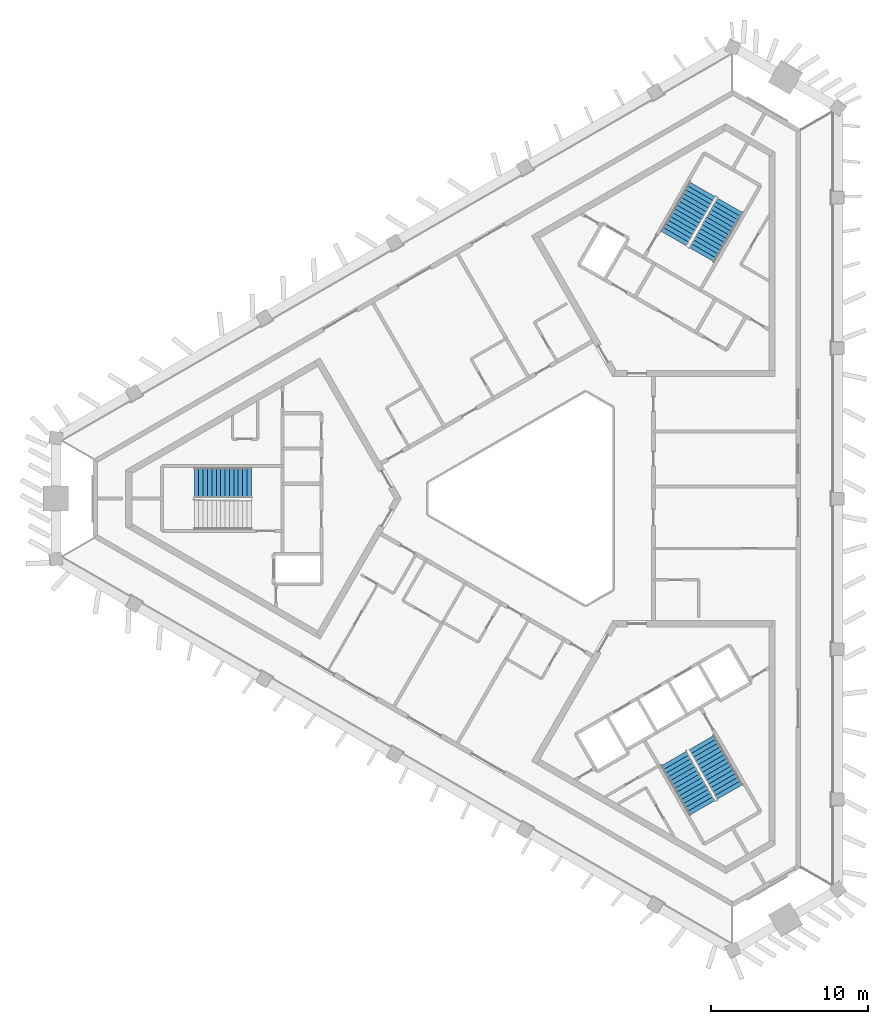
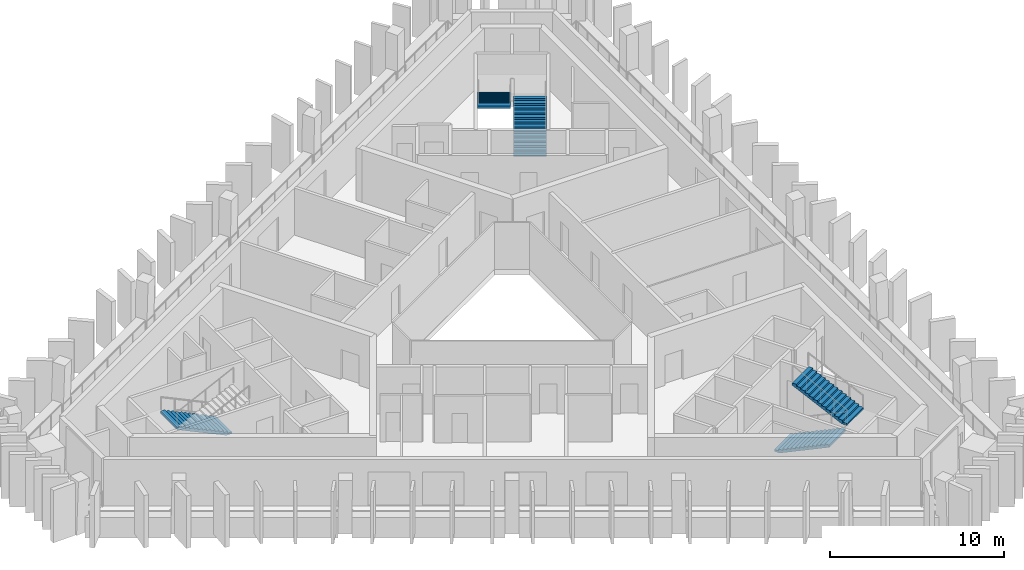
# One storey, part 6 of 10: 5 stair flights, 3 elements without a shape of their own.
"""IFC4 building model written with IfcOpenShell, lengths in metres."""

from ifc_helpers import new_model, si_unit, direction, frame, origin, place, context, subcontext, project, spatial, polyline, outline, extrude, material, type_object, element, aggregate, save


model = new_model("IFC4")

# Units and contexts
model_context = context("Model", 3, precision=1e-05, world=origin(), true_north=direction((0.0, 1.0)))
body_context = subcontext(model_context, "Body", "Model", "MODEL_VIEW")
ifc_project = project(units=[si_unit("LENGTHUNIT", "METRE"), si_unit("AREAUNIT", "SQUARE_METRE"), si_unit("VOLUMEUNIT", "CUBIC_METRE"), si_unit("PLANEANGLEUNIT", "RADIAN"), si_unit("MASSUNIT", "GRAM", prefix="KILO")], contexts=[model_context])

# Site, building, storey
site_placement = place(None, origin())
site = spatial("IfcSite", under=ifc_project, at=site_placement, CompositionType="ELEMENT")
building_placement = place(site_placement, origin())
building = spatial("IfcBuilding", under=site, at=building_placement, Name="Jabali Bay Hotel Tower and Convention Centre", CompositionType="ELEMENT")
storey_placement = place(building_placement, frame((0.0, 0.0, 284.89990234375)))
storey = spatial("IfcBuildingStorey", under=building, at=storey_placement, Name="L70", CompositionType="ELEMENT", Elevation=284.89990234375)

# Stair, stair flight
ifc_material = material(Name="Concrete C40", Category="concrete")
stair_type = type_object("IfcStairType", Name="Exit stair 1900", PredefinedType="HALF_TURN_STAIR", material=ifc_material)
stair_1_placement = place(storey_placement, origin())
stair_1 = element("IfcStair", 1, at=stair_1_placement, inside=storey, type_object=stair_type, Name="L70 Exit Stair 1", PredefinedType="HALF_TURN_STAIR")
stair_flight_type = type_object("IfcStairFlightType", Name="Stair flight concrete 150", PredefinedType="STRAIGHT", material=ifc_material)
stair_flight_1_placement = place(storey_placement, frame((56.419921875, 81.02490234375, 0.0), z_axis=(0.0, 0.0, 1.0), x_axis=(-1.0, 0.0, 0.0)))
stair_flight_1 = element("IfcStairFlight", 2, at=stair_flight_1_placement, type_object=stair_flight_type, Name="ST1 flight 1", NumberOfRisers=14, NumberOfTreads=13, PredefinedType="STRAIGHT", RiserHeight=0.132142857, TreadLength=0.28, context=body_context, shape_type="SweptSolid", body=[
    extrude(outline(polyline([(0.0, 0.0), (0.0, 0.132080078125), (0.280029296875, 0.132080078125), (0.280029296875, 0.264404296875), (0.56005859375, 0.264404296875), (0.56005859375, 0.396484375), (0.840087890625, 0.396484375), (0.840087890625, 0.528564453125), (1.1201171875, 0.528564453125), (1.1201171875, 0.66064453125), (1.39990234375, 0.66064453125), (1.39990234375, 0.79296875), (1.679931640625, 0.79296875), (1.679931640625, 0.925048828125), (1.9599609375, 0.925048828125), (1.9599609375, 1.05712890625), (2.239990234375, 1.05712890625), (2.239990234375, 1.189208984375), (2.52001953125, 1.189208984375), (2.52001953125, 1.321533203125), (2.800048828125, 1.321533203125), (2.800048828125, 1.45361328125), (3.080078125, 1.45361328125), (3.080078125, 1.585693359375), (3.360107421875, 1.585693359375), (3.360107421875, 1.7177734375), (3.639892578125, 1.7177734375), (3.639892578125, 1.85009765625), (3.639892578125, 1.552001953125), (0.351318359375, 0.0), (0.0, 0.0)])), frame((0.0, 0.949951171875, 0.0), z_axis=(0.0, -1.0, 0.0), x_axis=(1.0, 0.0, 0.0)), (0.0, 0.0, 1.0), 1.89990234375),
])
aggregate(stair_1, [stair_flight_1])

# Stair, stair flights
stair_2_placement = place(storey_placement, origin())
stair_2 = element("IfcStair", 3, at=stair_2_placement, inside=storey, type_object=stair_type, Name="L70 Exit Stair 2", PredefinedType="HALF_TURN_STAIR")
stair_flight_2_placement = place(storey_placement, frame((85.177734375, 95.578369140625, 0.0), z_axis=(0.0, 0.0, 1.0), x_axis=(0.5, 0.866025403784, 0.0)))
stair_flight_2 = element("IfcStairFlight", 4, at=stair_flight_2_placement, type_object=stair_flight_type, Name="ST2 flight 1", NumberOfRisers=14, NumberOfTreads=13, PredefinedType="STRAIGHT", RiserHeight=0.132142857, TreadLength=0.28, context=body_context, shape_type="SweptSolid", body=[
    extrude(outline(polyline([(0.0, 0.0), (0.0, 0.132080078125), (0.280029296875, 0.132080078125), (0.280029296875, 0.264404296875), (0.56005859375, 0.264404296875), (0.56005859375, 0.396484375), (0.840087890625, 0.396484375), (0.840087890625, 0.528564453125), (1.1201171875, 0.528564453125), (1.1201171875, 0.66064453125), (1.39990234375, 0.66064453125), (1.39990234375, 0.79296875), (1.679931640625, 0.79296875), (1.679931640625, 0.925048828125), (1.9599609375, 0.925048828125), (1.9599609375, 1.05712890625), (2.239990234375, 1.05712890625), (2.239990234375, 1.189208984375), (2.52001953125, 1.189208984375), (2.52001953125, 1.321533203125), (2.800048828125, 1.321533203125), (2.800048828125, 1.45361328125), (3.080078125, 1.45361328125), (3.080078125, 1.585693359375), (3.360107421875, 1.585693359375), (3.360107421875, 1.7177734375), (3.639892578125, 1.7177734375), (3.639892578125, 1.85009765625), (3.639892578125, 1.552001953125), (0.351318359375, 0.0), (0.0, 0.0)])), frame((0.0, 0.949951171875, 0.0), z_axis=(0.0, -1.0, 0.0), x_axis=(1.0, 0.0, 0.0)), (0.0, 0.0, 1.0), 1.89990234375),
])
stair_flight_3_placement = place(storey_placement, frame((85.222412109375, 99.755615234375, 1.85009765625), z_axis=(0.0, 0.0, 1.0), x_axis=(-0.5, -0.866025403784, 0.0)))
stair_flight_3 = element("IfcStairFlight", 5, at=stair_flight_3_placement, type_object=stair_flight_type, Name="ST2 flight 2", NumberOfRisers=14, NumberOfTreads=13, PredefinedType="STRAIGHT", RiserHeight=0.132142857, TreadLength=0.28, context=body_context, shape_type="SweptSolid", body=[
    extrude(outline(polyline([(0.0, 0.0), (0.0, 0.132080078125), (0.280029296875, 0.132080078125), (0.280029296875, 0.264404296875), (0.56005859375, 0.264404296875), (0.56005859375, 0.396484375), (0.840087890625, 0.396484375), (0.840087890625, 0.528564453125), (1.1201171875, 0.528564453125), (1.1201171875, 0.66064453125), (1.39990234375, 0.66064453125), (1.39990234375, 0.79296875), (1.679931640625, 0.79296875), (1.679931640625, 0.925048828125), (1.9599609375, 0.925048828125), (1.9599609375, 1.05712890625), (2.239990234375, 1.05712890625), (2.239990234375, 1.189208984375), (2.52001953125, 1.189208984375), (2.52001953125, 1.321533203125), (2.800048828125, 1.321533203125), (2.800048828125, 1.45361328125), (3.080078125, 1.45361328125), (3.080078125, 1.585693359375), (3.360107421875, 1.585693359375), (3.360107421875, 1.7177734375), (3.639892578125, 1.7177734375), (3.639892578125, 1.85009765625), (3.639892578125, 1.552001953125), (0.351318359375, 0.0), (0.0, 0.0)])), frame((0.0, 0.949951171875, 0.0), z_axis=(0.0, -1.0, 0.0), x_axis=(1.0, 0.0, 0.0)), (0.0, 0.0, 1.0), 1.89990234375),
])
aggregate(stair_2, [stair_flight_2, stair_flight_3])

stair_3_placement = place(storey_placement, origin())
stair_3 = element("IfcStair", 6, at=stair_3_placement, inside=storey, type_object=stair_type, Name="L70 Exit Stair 3", PredefinedType="HALF_TURN_STAIR")
stair_flight_4_placement = place(storey_placement, frame((83.40234375, 63.396728515625, 0.0), z_axis=(0.0, 0.0, 1.0), x_axis=(0.5, -0.866025403784, 0.0)))
stair_flight_4 = element("IfcStairFlight", 7, at=stair_flight_4_placement, type_object=stair_flight_type, Name="ST3 flight 1", NumberOfRisers=14, NumberOfTreads=13, PredefinedType="STRAIGHT", RiserHeight=0.132142857, TreadLength=0.28, context=body_context, shape_type="SweptSolid", body=[
    extrude(outline(polyline([(0.0, 0.0), (0.0, 0.132080078125), (0.280029296875, 0.132080078125), (0.280029296875, 0.264404296875), (0.56005859375, 0.264404296875), (0.56005859375, 0.396484375), (0.840087890625, 0.396484375), (0.840087890625, 0.528564453125), (1.1201171875, 0.528564453125), (1.1201171875, 0.66064453125), (1.39990234375, 0.66064453125), (1.39990234375, 0.79296875), (1.679931640625, 0.79296875), (1.679931640625, 0.925048828125), (1.9599609375, 0.925048828125), (1.9599609375, 1.05712890625), (2.239990234375, 1.05712890625), (2.239990234375, 1.189208984375), (2.52001953125, 1.189208984375), (2.52001953125, 1.321533203125), (2.800048828125, 1.321533203125), (2.800048828125, 1.45361328125), (3.080078125, 1.45361328125), (3.080078125, 1.585693359375), (3.360107421875, 1.585693359375), (3.360107421875, 1.7177734375), (3.639892578125, 1.7177734375), (3.639892578125, 1.85009765625), (3.639892578125, 1.552001953125), (0.351318359375, 0.0), (0.0, 0.0)])), frame((0.0, 0.949951171875, 0.0), z_axis=(0.0, -1.0, 0.0), x_axis=(1.0, 0.0, 0.0)), (0.0, 0.0, 1.0), 1.89990234375),
])
stair_flight_5_placement = place(storey_placement, frame((86.99755859375, 61.26953125, 1.85009765625), z_axis=(0.0, 0.0, 1.0), x_axis=(-0.5, 0.866025403784, 0.0)))
stair_flight_5 = element("IfcStairFlight", 8, at=stair_flight_5_placement, type_object=stair_flight_type, Name="ST3 flight 2", NumberOfRisers=14, NumberOfTreads=13, PredefinedType="STRAIGHT", RiserHeight=0.132142857, TreadLength=0.28, context=body_context, shape_type="SweptSolid", body=[
    extrude(outline(polyline([(0.0, 0.0), (0.0, 0.132080078125), (0.280029296875, 0.132080078125), (0.280029296875, 0.264404296875), (0.56005859375, 0.264404296875), (0.56005859375, 0.396484375), (0.840087890625, 0.396484375), (0.840087890625, 0.528564453125), (1.1201171875, 0.528564453125), (1.1201171875, 0.66064453125), (1.39990234375, 0.66064453125), (1.39990234375, 0.79296875), (1.679931640625, 0.79296875), (1.679931640625, 0.925048828125), (1.9599609375, 0.925048828125), (1.9599609375, 1.05712890625), (2.239990234375, 1.05712890625), (2.239990234375, 1.189208984375), (2.52001953125, 1.189208984375), (2.52001953125, 1.321533203125), (2.800048828125, 1.321533203125), (2.800048828125, 1.45361328125), (3.080078125, 1.45361328125), (3.080078125, 1.585693359375), (3.360107421875, 1.585693359375), (3.360107421875, 1.7177734375), (3.639892578125, 1.7177734375), (3.639892578125, 1.85009765625), (3.639892578125, 1.552001953125), (0.351318359375, 0.0), (0.0, 0.0)])), frame((0.0, 0.949951171875, 0.0), z_axis=(0.0, -1.0, 0.0), x_axis=(1.0, 0.0, 0.0)), (0.0, 0.0, 1.0), 1.89990234375),
])
aggregate(stair_3, [stair_flight_4, stair_flight_5])

save(model, "model.ifc")
